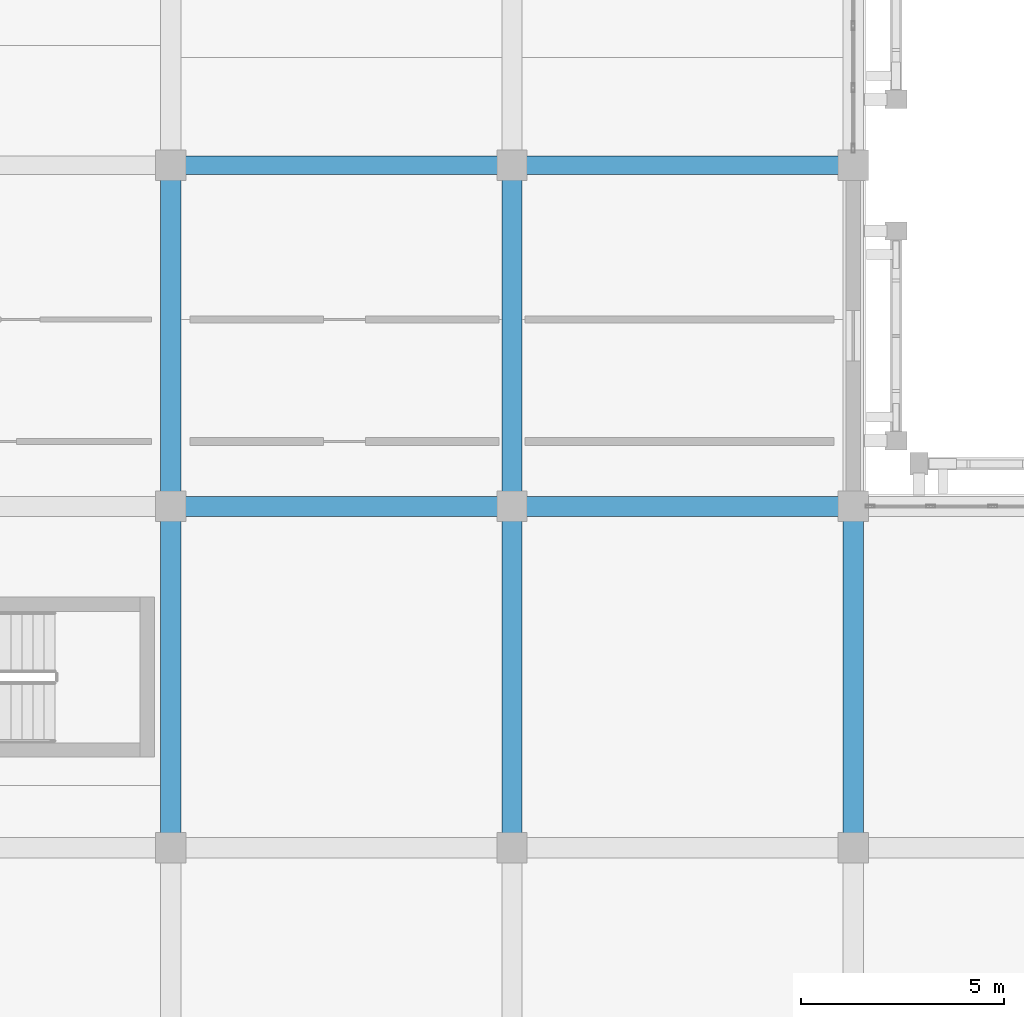
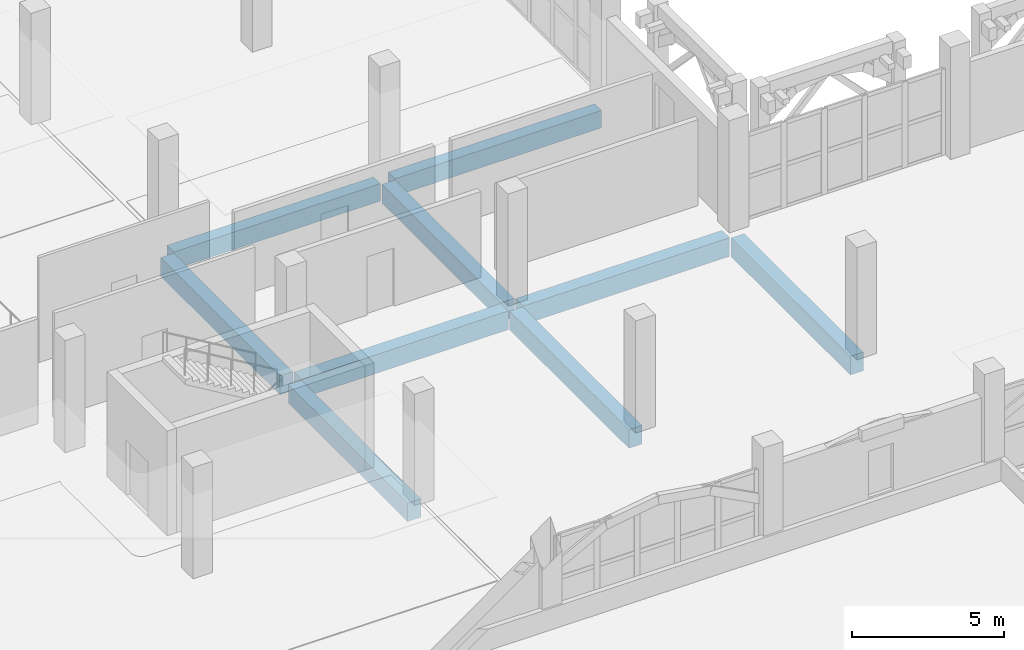
# One storey, part 49 of 114: 9 beams.
"""IFC4 building model written with IfcOpenShell, lengths in metres."""

from ifc_helpers import new_model, si_unit, direction, frame, origin, origin_2d, place, context, subcontext, project, spatial, rectangle, extrude, material, material_profile, profile_set, type_object, element, save


model = new_model("IFC4")

# Units and contexts
model_context = context("Model", 3, precision=1e-05, world=origin(), true_north=direction((0.0, 1.0)))
body_context = subcontext(model_context, "Body", "Model", "MODEL_VIEW")
ifc_project = project(units=[si_unit("LENGTHUNIT", "METRE"), si_unit("AREAUNIT", "SQUARE_METRE"), si_unit("VOLUMEUNIT", "CUBIC_METRE"), si_unit("PLANEANGLEUNIT", "RADIAN"), si_unit("MASSUNIT", "GRAM", prefix="KILO")], contexts=[model_context])

# Site, building, storey
site_placement = place(None, origin())
site = spatial("IfcSite", under=ifc_project, at=site_placement, CompositionType="ELEMENT")
building_placement = place(site_placement, origin())
building = spatial("IfcBuilding", under=site, at=building_placement, Name="Xazarin Passage Department Store", CompositionType="ELEMENT")
storey_placement = place(building_placement, frame((0.0, 0.0, 14.39990234375)))
storey = spatial("IfcBuildingStorey", under=building, at=storey_placement, Name="L03", CompositionType="ELEMENT", Elevation=14.39990234375)

# Beams
ifc_material = material(Name="Concrete C35/45", Category="concrete")
ifc_material_profile_1 = material_profile(ifc_material, rectangle(XDim=0.449951171875, YDim=0.699951171875, at=origin_2d()), Name="RC 450x700")
ifc_profile_set_1 = profile_set([ifc_material_profile_1], Name="Concrete C35/45")
beam_type_1 = type_object("IfcBeamType", Name="STR-BM-G450x700", PredefinedType="BEAM", material=ifc_profile_set_1)
for number, where, z_axis, x_axis, name in (
    (1, (33.8798828125, 93.199951171875, -0.64990234375), (1.0, 0.0, 0.0), (0.0, 1.0, 0.0), "L03 Grid Beam N/5-6"),
    (2, (42.280029296875, 93.199951171875, -0.64990234375), (1.0, 0.0, 0.0), (0.0, 1.0, 0.0), "L03 Grid Beam N/6-7"),
):
    element("IfcBeam", number, at=place(storey_placement, frame(where, z_axis=z_axis, x_axis=x_axis)), inside=storey, type_object=beam_type_1, Name=name, PredefinedType="BEAM", context=body_context, shape_type="SweptSolid", body=[
        extrude(rectangle(XDim=0.449951171875, YDim=0.699951171875, at=origin_2d()), origin(), (0.0, 0.0, 1.0), 7.840087890625),
    ])
ifc_material_profile_2 = material_profile(ifc_material, rectangle(XDim=0.5, YDim=0.75, at=origin_2d()), Name="RC 500x750")
ifc_profile_set_2 = profile_set([ifc_material_profile_2], Name="Concrete C35/45")
beam_type_2 = type_object("IfcBeamType", Name="STR-BM-SP500x750", PredefinedType="SPANDREL", material=ifc_profile_set_2)
for number, where, z_axis, x_axis, name in (
    (3, (33.8798828125, 84.800048828125, -0.6748046875), (1.0, 0.0, 0.0), (0.0, 1.0, 0.0), "L03 Grid Beam M/5-6"),
    (4, (42.280029296875, 84.800048828125, -0.6748046875), (1.0, 0.0, 0.0), (0.0, 1.0, 0.0), "L03 Grid Beam M/6-7"),
    (5, (33.60009765625, 76.679931640625, -0.6748046875), (0.0, 1.0, 0.0), (-1.0, 0.0, 0.0), "L03 Grid Beam 5/L-M"),
):
    element("IfcBeam", number, at=place(storey_placement, frame(where, z_axis=z_axis, x_axis=x_axis)), inside=storey, type_object=beam_type_2, Name=name, PredefinedType="SPANDREL", context=body_context, shape_type="SweptSolid", body=[
        extrude(rectangle(XDim=0.5, YDim=0.75, at=origin_2d()), origin(), (0.0, 0.0, 1.0), 7.840087890625),
    ])
beam_1_placement = place(storey_placement, frame((33.60009765625, 85.080078125, -0.6748046875), z_axis=(0.0, 1.0, 0.0), x_axis=(-1.0, 0.0, 0.0)))
element("IfcBeam", 6, at=beam_1_placement, inside=storey, type_object=beam_type_2, Name="L03 Grid Beam 5/M-N", PredefinedType="SPANDREL", context=body_context, shape_type="SweptSolid", body=[
    extrude(rectangle(XDim=0.5, YDim=0.75, at=origin_2d()), origin(), (0.0, 0.0, 1.0), 7.83984375),
])
beam_2_placement = place(storey_placement, frame((42.0, 76.679931640625, -0.6748046875), z_axis=(0.0, 1.0, 0.0), x_axis=(-1.0, 0.0, 0.0)))
element("IfcBeam", 7, at=beam_2_placement, inside=storey, type_object=beam_type_2, Name="L03 Grid Beam 6/L-M", PredefinedType="SPANDREL", context=body_context, shape_type="SweptSolid", body=[
    extrude(rectangle(XDim=0.5, YDim=0.75, at=origin_2d()), origin(), (0.0, 0.0, 1.0), 7.840087890625),
])
beam_3_placement = place(storey_placement, frame((42.0, 85.080078125, -0.6748046875), z_axis=(0.0, 1.0, 0.0), x_axis=(-1.0, 0.0, 0.0)))
element("IfcBeam", 8, at=beam_3_placement, inside=storey, type_object=beam_type_2, Name="L03 Grid Beam 6/M-N", PredefinedType="SPANDREL", context=body_context, shape_type="SweptSolid", body=[
    extrude(rectangle(XDim=0.5, YDim=0.75, at=origin_2d()), origin(), (0.0, 0.0, 1.0), 7.83984375),
])
beam_4_placement = place(storey_placement, frame((50.39990234375, 76.679931640625, -0.6748046875), z_axis=(0.0, 1.0, 0.0), x_axis=(-1.0, 0.0, 0.0)))
element("IfcBeam", 9, at=beam_4_placement, inside=storey, type_object=beam_type_2, Name="L03 Grid Beam 7/L-M", PredefinedType="SPANDREL", context=body_context, shape_type="SweptSolid", body=[
    extrude(rectangle(XDim=0.5, YDim=0.75, at=origin_2d()), origin(), (0.0, 0.0, 1.0), 7.840087890625),
])

save(model, "model.ifc")
